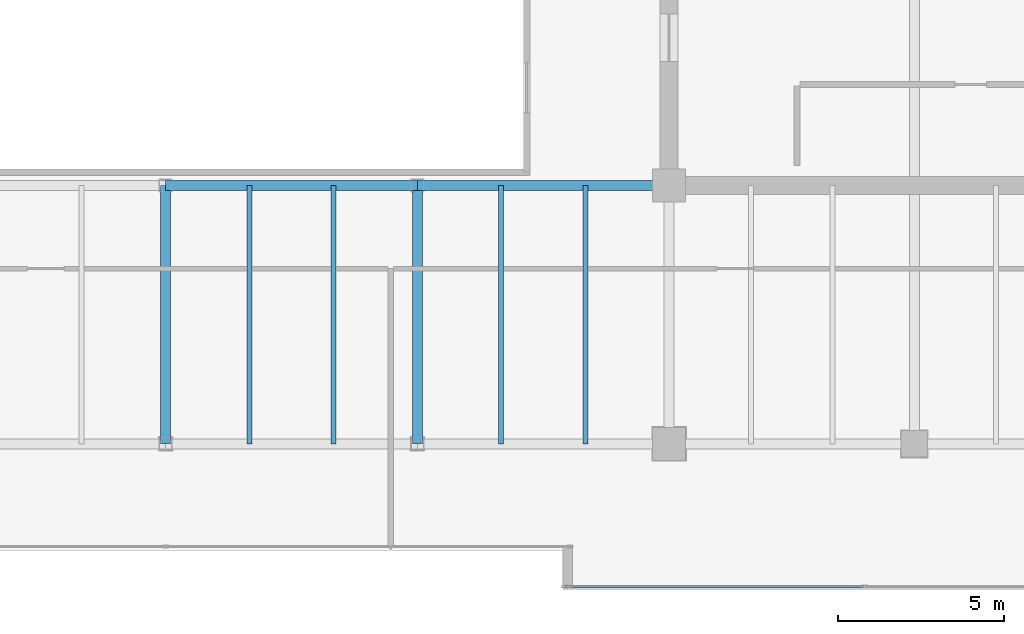
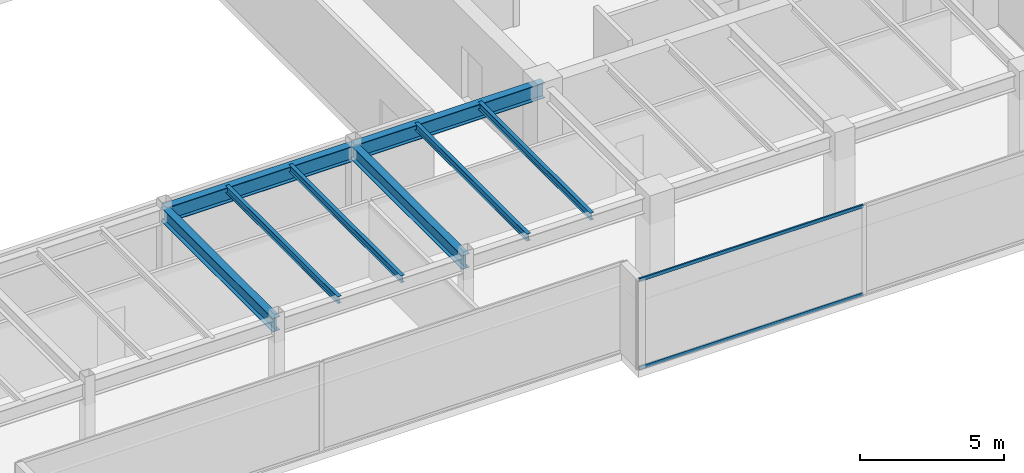
# One storey, part 12 of 35: 8 beams, 2 members, 1 element without a shape of its own.
"""IFC4 building model written with IfcOpenShell, lengths in metres."""

from ifc_helpers import new_model, si_unit, direction, frame, origin, origin_2d, place, context, subcontext, project, spatial, hollow_rectangle, i_section, extrude, source, transform, mapped, material, layer, layer_set, material_profile, profile_set, type_object, type_shapes, element, aggregate, save


model = new_model("IFC4")

# Units and contexts
model_context = context("Model", 3, precision=1e-05, world=origin(), true_north=direction((0.0, 1.0)))
body_context = subcontext(model_context, "Body", "Model", "MODEL_VIEW")
ifc_project = project(units=[si_unit("LENGTHUNIT", "METRE"), si_unit("AREAUNIT", "SQUARE_METRE"), si_unit("VOLUMEUNIT", "CUBIC_METRE"), si_unit("PLANEANGLEUNIT", "RADIAN"), si_unit("MASSUNIT", "GRAM", prefix="KILO")], contexts=[model_context])

# Site, building, storey
site_placement = place(None, origin())
site = spatial("IfcSite", under=ifc_project, at=site_placement, CompositionType="ELEMENT")
building_placement = place(site_placement, origin())
building = spatial("IfcBuilding", under=site, at=building_placement, Name="Haelvirn Gate Laboratories", CompositionType="ELEMENT")
storey_placement = place(building_placement, frame((0.0, 0.0, 234.199951171875)))
storey = spatial("IfcBuildingStorey", under=building, at=storey_placement, Name="L56", CompositionType="ELEMENT", Elevation=234.199951171875)

# Beams
ifc_material_1 = material(Name="Steel SM355", Category="steel")
ifc_material_profile_1 = material_profile(ifc_material_1, i_section(OverallWidth=0.14990234375, OverallDepth=0.300048828125, WebThickness=0.006591796875, FlangeThickness=0.009033203125, at=origin_2d()), Name="H-300x150x6.5x9")
ifc_profile_set_1 = profile_set([ifc_material_profile_1], Name="Steel SM355")
beam_type_1 = type_object("IfcBeamType", Name="BM-J-300", PredefinedType="JOIST", material=ifc_profile_set_1)
shared_shape_1 = source(origin(), body_context, "Body", "SweptSolid", [
    extrude(i_section(OverallWidth=0.14990234375, OverallDepth=0.300048828125, WebThickness=0.006591796875, FlangeThickness=0.009033203125, at=origin_2d()), origin(), (0.0, 0.0, 1.0), 7.800048828125),
])
type_shapes(beam_type_1, [shared_shape_1])
for number, where, z_axis, x_axis, name in (
    (1, (39.929931640625, 7.0, 3.650146484375), (0.0, 1.0, 0.0), (-1.0, 0.0, 0.0), "L56 Composite Lab Joist South X39.93"),
    (2, (42.469970703125, 7.0, 3.650146484375), (0.0, 1.0, 0.0), (-1.0, 0.0, 0.0), "L56 Composite Lab Joist South X42.47"),
    (3, (47.530029296875, 7.0, 3.650146484375), (0.0, 1.0, 0.0), (-1.0, 0.0, 0.0), "L56 Composite Lab Joist South X47.53"),
    (4, (50.070068359375, 7.0, 3.650146484375), (0.0, 1.0, 0.0), (-1.0, 0.0, 0.0), "L56 Composite Lab Joist South X50.07"),
):
    element("IfcBeam", number, at=place(storey_placement, frame(where, z_axis=z_axis, x_axis=x_axis)), inside=storey, type_object=beam_type_1, Name=name, PredefinedType="JOIST", context=body_context, shape_type="MappedRepresentation", body=[
        mapped(shared_shape_1, transform((0.0, 0.0, 0.0), scale=1.0)),
    ])
ifc_material_profile_2 = material_profile(ifc_material_1, i_section(OverallWidth=0.300048828125, OverallDepth=0.587890625, WebThickness=0.011962890625, FlangeThickness=0.02001953125, at=origin_2d()), Name="H-588x300x12x20")
ifc_profile_set_2 = profile_set([ifc_material_profile_2], Name="Steel SM355")
beam_type_2 = type_object("IfcBeamType", Name="BM-G-588", PredefinedType="BEAM", material=ifc_profile_set_2)
shared_shape_2 = source(origin(), body_context, "Body", "SweptSolid", [
    extrude(i_section(OverallWidth=0.300048828125, OverallDepth=0.587890625, WebThickness=0.011962890625, FlangeThickness=0.02001953125, at=origin_2d()), origin(), (0.0, 0.0, 1.0), 7.800048828125),
])
type_shapes(beam_type_2, [shared_shape_2])
for number, where, z_axis, x_axis, name in (
    (5, (37.39990234375, 7.0, 3.506103515625), (0.0, 1.0, 0.0), (-1.0, 0.0, 0.0), "L56 Frame Girder X37.4 (7.0-14.8)"),
    (6, (45.0, 7.0, 3.506103515625), (0.0, 1.0, 0.0), (-1.0, 0.0, 0.0), "L56 Frame Girder X45.0 (7.0-14.8)"),
):
    element("IfcBeam", number, at=place(storey_placement, frame(where, z_axis=z_axis, x_axis=x_axis)), inside=storey, type_object=beam_type_2, Name=name, PredefinedType="BEAM", context=body_context, shape_type="MappedRepresentation", body=[
        mapped(shared_shape_2, transform((0.0, 0.0, 0.0), scale=1.0)),
    ])
ifc_material_profile_3 = material_profile(ifc_material_1, i_section(OverallWidth=0.300048828125, OverallDepth=0.64990234375, WebThickness=0.012939453125, FlangeThickness=0.02197265625, at=origin_2d()), Name="H-650x300x13x22")
ifc_profile_set_3 = profile_set([ifc_material_profile_3], Name="Steel SM355")
beam_type_3 = type_object("IfcBeamType", Name="BM-G-650", PredefinedType="BEAM", material=ifc_profile_set_3)
shared_shape_3 = source(origin(), body_context, "Body", "SweptSolid", [
    extrude(i_section(OverallWidth=0.300048828125, OverallDepth=0.64990234375, WebThickness=0.012939453125, FlangeThickness=0.02197265625, at=origin_2d()), origin(), (0.0, 0.0, 1.0), 7.60009765625),
])
type_shapes(beam_type_3, [shared_shape_3])
for number, where, z_axis, x_axis, name in (
    (7, (37.39990234375, 14.800048828125, 3.47509765625), (1.0, 0.0, 0.0), (0.0, 1.0, 0.0), "L56 Primary Girder Y14.8 (37.4-45.0)"),
    (8, (45.0, 14.800048828125, 3.47509765625), (1.0, 0.0, 0.0), (0.0, 1.0, 0.0), "L56 Primary Girder Y14.8 (45.0-52.6)"),
):
    element("IfcBeam", number, at=place(storey_placement, frame(where, z_axis=z_axis, x_axis=x_axis)), inside=storey, type_object=beam_type_3, Name=name, PredefinedType="BEAM", context=body_context, shape_type="MappedRepresentation", body=[
        mapped(shared_shape_3, transform((0.0, 0.0, 0.0), scale=1.0)),
    ])

# Curtain wall, members
ifc_material_2 = material(Name="Anodised bronze unitised aluminium & triple low-E glass", Category="aluminium")
ifc_layer = layer(ifc_material_2, 0.176025390625, Name="CW-SYS-4")
ifc_layer_set = layer_set([ifc_layer], Name="Anodised bronze unitised aluminium & triple low-E glass")
curtain_wall_type = type_object("IfcCurtainWallType", Name="CW-SYS-4", PredefinedType="NOTDEFINED", material=ifc_layer_set)
curtain_wall_placement = place(storey_placement, origin())
curtain_wall = element("IfcCurtainWall", 9, at=curtain_wall_placement, inside=storey, type_object=curtain_wall_type, Name="L56 Unitised Curtain Wall CW-L56-P0-E04-1", PredefinedType="NOTDEFINED")
ifc_material_3 = material(Name="Extruded aluminium 6063-T6 (anodised bronze)", Category="aluminium")
ifc_material_profile_4 = material_profile(ifc_material_3, hollow_rectangle(XDim=0.06494140625, YDim=0.139892578125, WallThickness=0.00390625, at=origin_2d()), Name="CWT-140x65x4")
ifc_profile_set_4 = profile_set([ifc_material_profile_4], Name="Extruded aluminium 6063-T6 (anodised bronze)")
member_type = type_object("IfcMemberType", Name="CWT-T140", PredefinedType="USERDEFINED", material=ifc_profile_set_4)
shared_shape_4 = source(origin(), body_context, "Body", "SweptSolid", [
    extrude(hollow_rectangle(XDim=0.06494140625, YDim=0.139892578125, WallThickness=0.00390625, at=origin_2d()), origin(), (0.0, 0.0, 1.0), 8.9951171875),
])
type_shapes(member_type, [shared_shape_4])
member_1_placement = place(storey_placement, frame((49.469970703125, 2.699951171875, 0.032470703125), z_axis=(1.0, 0.0, 0.0), x_axis=(0.0, 1.0, 0.0)))
member_1 = element("IfcMember", 10, at=member_1_placement, type_object=member_type, Name="CW4 transom 1.1", ObjectType="TRANSOM", PredefinedType="USERDEFINED", context=body_context, shape_type="MappedRepresentation", body=[
    mapped(shared_shape_4, transform((0.0, 0.0, 0.0), scale=1.0)),
])
member_2_placement = place(storey_placement, frame((49.469970703125, 2.699951171875, 3.767578125), z_axis=(1.0, 0.0, 0.0), x_axis=(0.0, 1.0, 0.0)))
member_2 = element("IfcMember", 11, at=member_2_placement, type_object=member_type, Name="CW4 transom 1.2", ObjectType="TRANSOM", PredefinedType="USERDEFINED", context=body_context, shape_type="MappedRepresentation", body=[
    mapped(shared_shape_4, transform((0.0, 0.0, 0.0), scale=1.0)),
])
aggregate(curtain_wall, [member_1, member_2])

save(model, "model.ifc")
